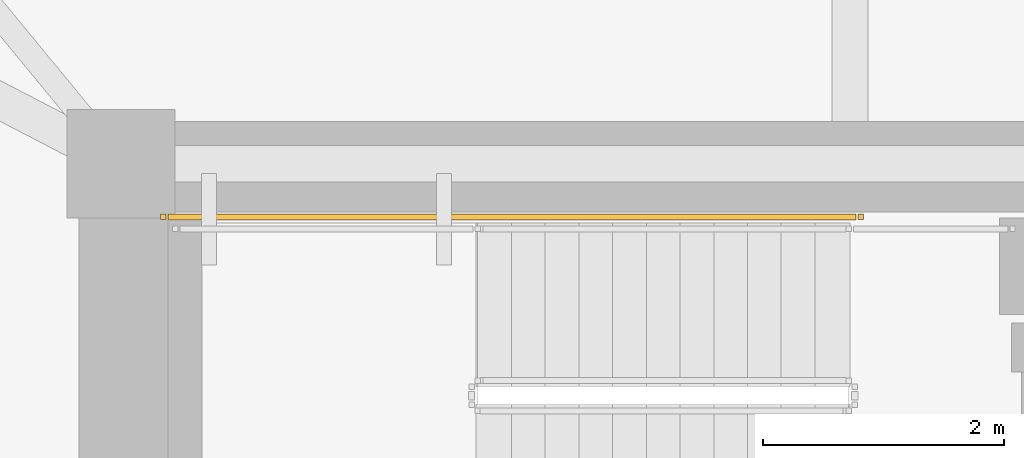
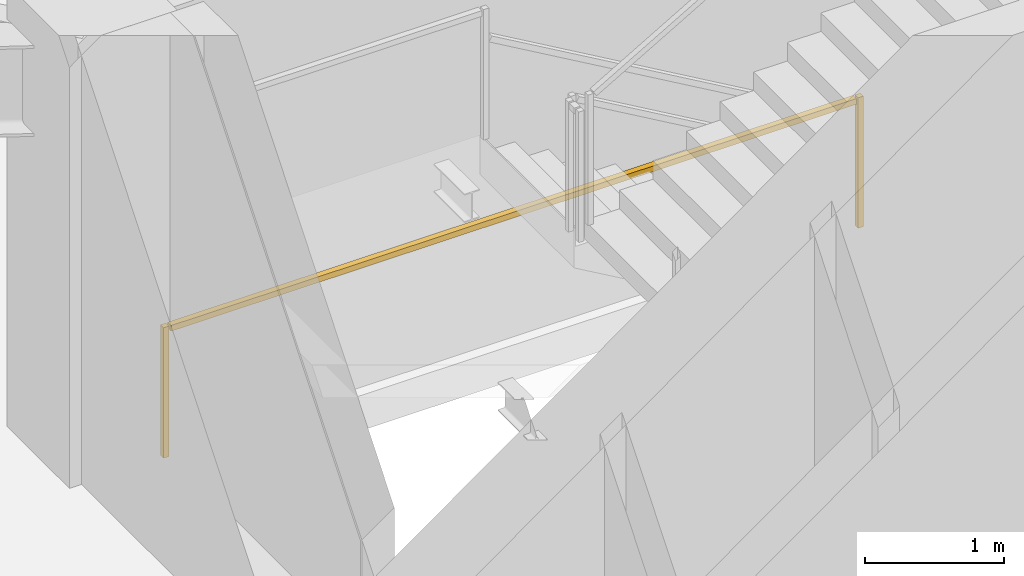
# One storey, part 12 of 15: 1 railing.
"""IFC4 building model written with IfcOpenShell, lengths in metres."""

from ifc_helpers import new_model, si_unit, direction, frame, origin, origin_2d, place, context, subcontext, project, spatial, rectangle, extrude, material, type_object, element, save


model = new_model("IFC4")

# Units and contexts
model_context = context("Model", 3, precision=1e-05, world=origin(), true_north=direction((0.0, 1.0)))
body_context = subcontext(model_context, "Body", "Model", "MODEL_VIEW")
ifc_project = project(units=[si_unit("LENGTHUNIT", "METRE"), si_unit("AREAUNIT", "SQUARE_METRE"), si_unit("VOLUMEUNIT", "CUBIC_METRE"), si_unit("PLANEANGLEUNIT", "RADIAN"), si_unit("MASSUNIT", "GRAM", prefix="KILO")], contexts=[model_context])

# Site, building, storey
site_placement = place(None, origin())
site = spatial("IfcSite", under=ifc_project, at=site_placement, CompositionType="ELEMENT")
building_placement = place(site_placement, origin())
building = spatial("IfcBuilding", under=site, at=building_placement, Name="Yunling Apex Tower", CompositionType="ELEMENT")
storey_placement = place(building_placement, frame((0.0, 0.0, 12.300048828125)))
storey = spatial("IfcBuildingStorey", under=building, at=storey_placement, Name="L04", CompositionType="ELEMENT", Elevation=12.300048828125)

# Railing
ifc_material = material(Name="Steel Q355B", Category="steel")
railing_type = type_object("IfcRailingType", Name="RL-GRD-1150", PredefinedType="GUARDRAIL", material=ifc_material)
railing_placement = place(storey_placement, frame((0.090087890625, 5.06005859375, 0.0)))
element("IfcRailing", 1, at=railing_placement, inside=storey, type_object=railing_type, Name="L04 ST-1 stair guard 7", PredefinedType="GUARDRAIL", context=body_context, shape_type="SweptSolid", body=[
    extrude(rectangle(XDim=0.0439453125, YDim=0.0439453125, at=origin_2d()), origin(), (0.0, 0.0, 1.0), 1.14990234375),
    extrude(rectangle(XDim=0.0439453125, YDim=0.0439453125, at=origin_2d()), frame((-5.7900390625, 0.0, 0.0)), (0.0, 0.0, 1.0), 1.14990234375),
    extrude(rectangle(XDim=0.050048828125, YDim=0.050048828125, at=origin_2d()), frame((-0.038330078125, 0.0, 1.125), z_axis=(-1.0, 0.0, 0.0), x_axis=(0.0, -1.0, 0.0)), (0.0, 0.0, 1.0), 5.71337890625),
])

save(model, "model.ifc")
